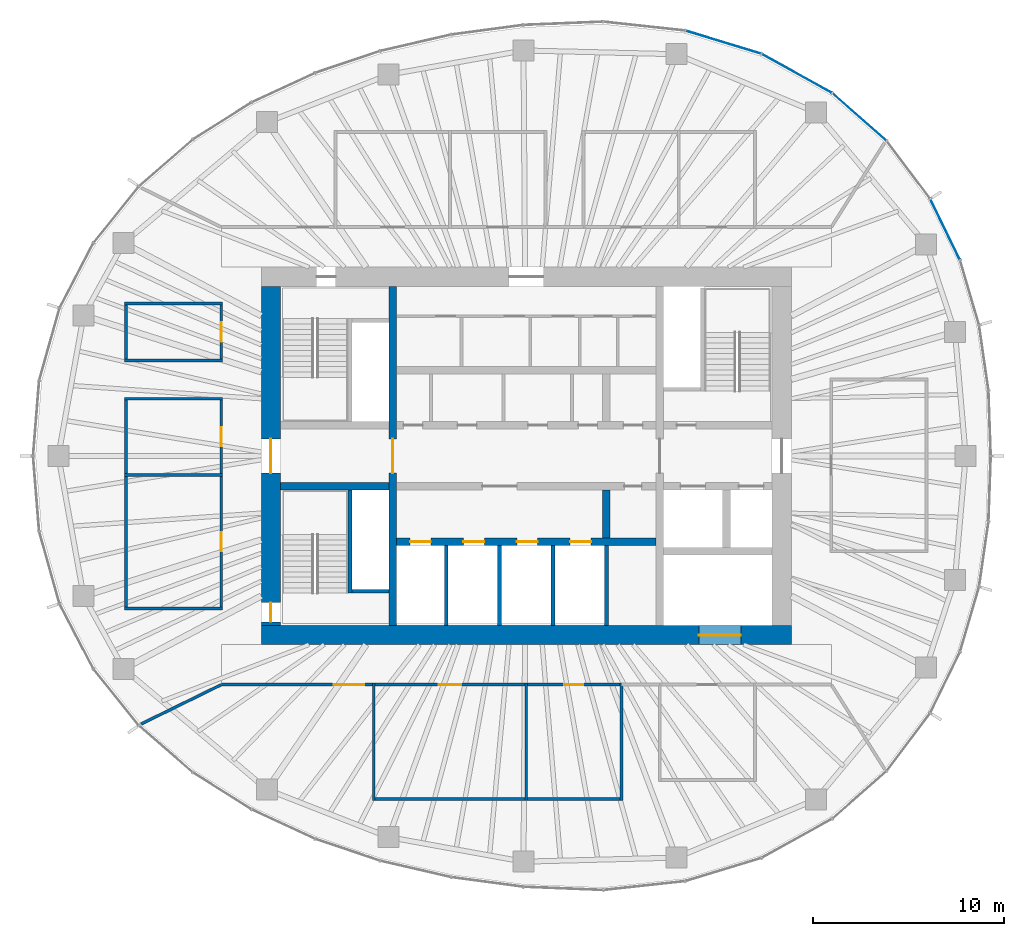
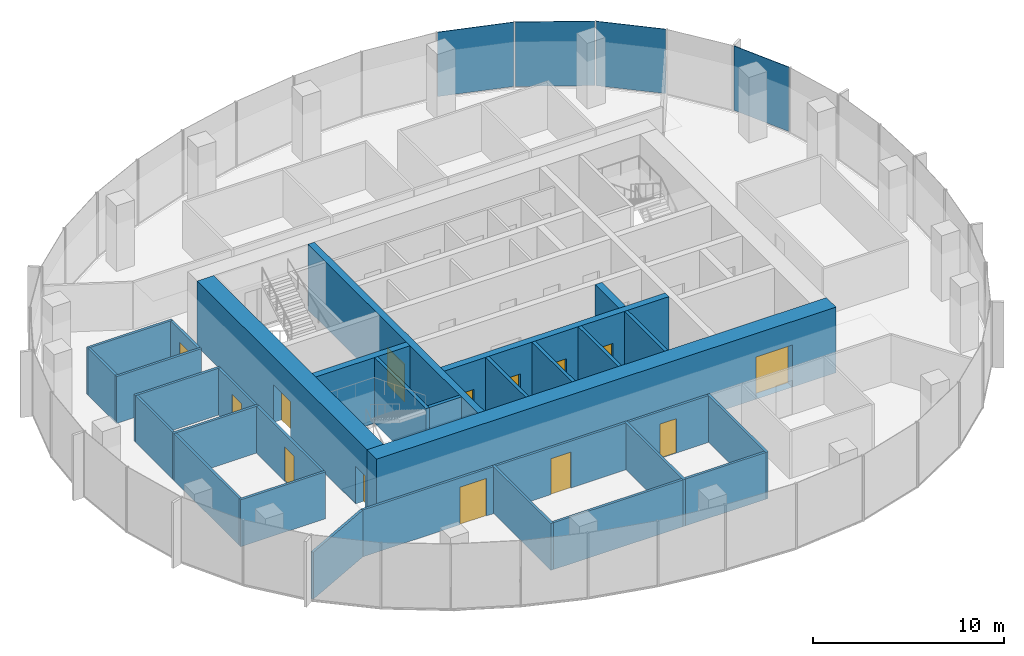
# One storey, part 8 of 11: 32 walls, 14 doors, 4 plates, 14 openings, 3 elements without a shape of their own.
"""IFC4 building model written with IfcOpenShell, lengths in metres."""

from ifc_helpers import new_model, si_unit, direction, frame, frame_2d, origin, origin_2d, place, context, subcontext, project, spatial, rectangle, extrude, material, layer, layer_set, type_object, element, fill, aggregate, save


model = new_model("IFC4")

# Units and contexts
model_context = context("Model", 3, precision=1e-05, world=origin(), true_north=direction((0.0, 1.0)))
body_context = subcontext(model_context, "Body", "Model", "MODEL_VIEW")
ifc_project = project(units=[si_unit("LENGTHUNIT", "METRE"), si_unit("AREAUNIT", "SQUARE_METRE"), si_unit("VOLUMEUNIT", "CUBIC_METRE"), si_unit("PLANEANGLEUNIT", "RADIAN"), si_unit("MASSUNIT", "GRAM", prefix="KILO")], contexts=[model_context])

# Site, building, storey
site_placement = place(None, origin())
site = spatial("IfcSite", under=ifc_project, at=site_placement, CompositionType="ELEMENT")
building_placement = place(site_placement, origin())
building = spatial("IfcBuilding", under=site, at=building_placement, Name="Ghaith Harvest Tower", CompositionType="ELEMENT")
storey_placement = place(building_placement, frame((0.0, 0.0, 279.60009765625)))
storey = spatial("IfcBuildingStorey", under=building, at=storey_placement, Name="L62", CompositionType="ELEMENT", Elevation=279.60009765625)

# Curtain wall, plate
ifc_material_1 = material(Name="Black anodised aluminium and fritted glass", Category="aluminium")
curtain_wall_type = type_object("IfcCurtainWallType", Name="CW-T CURTAIN WALL", PredefinedType="NOTDEFINED", material=ifc_material_1)
curtain_wall_1_placement = place(storey_placement, origin())
curtain_wall_1 = element("IfcCurtainWall", 1, at=curtain_wall_1_placement, inside=storey, type_object=curtain_wall_type, Name="Curtain wall CW-T bay 02 L62", PredefinedType="NOTDEFINED")
ifc_material_2 = material(Name="Glass, dark solar-control fritted double glazed unit", Category="glass")
ifc_layer_1 = layer(ifc_material_2, 0.033935546875)
ifc_layer_set_1 = layer_set([ifc_layer_1], Name="CW-T VISION PANEL")
plate_type = type_object("IfcPlateType", Name="CW-T VISION PANEL", PredefinedType="CURTAIN_PANEL", material=ifc_layer_set_1)
plate_1_placement = place(storey_placement, frame((21.9716796875, 11.878662109375, 0.079833984375), z_axis=(0.0, 0.0, 1.0), x_axis=(-0.437968365148, 0.898990384337, 0.0)))
plate_1 = element("IfcPlate", 2, at=plate_1_placement, type_object=plate_type, Name="CW-T glass unit 2 bay 02 L62", PredefinedType="CURTAIN_PANEL", context=body_context, shape_type="SweptSolid", body=[
    extrude(rectangle(XDim=3.49365234375, YDim=0.033935546875, at=origin_2d()), origin(), (0.0, 0.0, 1.0), 4.1201171875),
])
aggregate(curtain_wall_1, [plate_1])

curtain_wall_2_placement = place(storey_placement, origin())
curtain_wall_2 = element("IfcCurtainWall", 3, at=curtain_wall_2_placement, inside=storey, type_object=curtain_wall_type, Name="Curtain wall CW-T bay 03 L62", PredefinedType="NOTDEFINED")
plate_2_placement = place(storey_placement, frame((17.47509765625, 17.779541015625, 0.079833984375), z_axis=(0.0, 0.0, 1.0), x_axis=(-0.751334532416, 0.659921525941, 0.0)))
plate_2 = element("IfcPlate", 4, at=plate_2_placement, type_object=plate_type, Name="CW-T glass unit 2 bay 03 L62", PredefinedType="CURTAIN_PANEL", context=body_context, shape_type="SweptSolid", body=[
    extrude(rectangle(XDim=3.7158203125, YDim=0.033935546875, at=origin_2d()), origin(), (0.0, 0.0, 1.0), 4.1201171875),
])
aggregate(curtain_wall_2, [plate_2])

# Curtain wall, plates
curtain_wall_3_placement = place(storey_placement, origin())
curtain_wall_3 = element("IfcCurtainWall", 5, at=curtain_wall_3_placement, inside=storey, type_object=curtain_wall_type, Name="Curtain wall CW-T bay 04 L62", PredefinedType="NOTDEFINED")
plate_3_placement = place(storey_placement, frame((14.19189453125, 20.06201171875, 0.079833984375), z_axis=(0.0, 0.0, 1.0), x_axis=(-0.87456402291, 0.484910063653, 0.0)))
plate_3 = element("IfcPlate", 6, at=plate_3_placement, type_object=plate_type, Name="CW-T glass unit 1 bay 04 L62", PredefinedType="CURTAIN_PANEL", context=body_context, shape_type="SweptSolid", body=[
    extrude(rectangle(XDim=4.167724609375, YDim=0.033935546875, at=origin_2d()), origin(), (0.0, 0.0, 1.0), 4.1201171875),
])
plate_4_placement = place(storey_placement, frame((10.337158203125, 21.700439453125, 0.079833984375), z_axis=(0.0, 0.0, 1.0), x_axis=(-0.956587736124, 0.291444511181, 0.0)))
plate_4 = element("IfcPlate", 7, at=plate_4_placement, type_object=plate_type, Name="CW-T glass unit 2 bay 04 L62", PredefinedType="CURTAIN_PANEL", context=body_context, shape_type="SweptSolid", body=[
    extrude(rectangle(XDim=4.095703125, YDim=0.033935546875, at=origin_2d()), origin(), (0.0, 0.0, 1.0), 4.1201171875),
])
aggregate(curtain_wall_3, [plate_3, plate_4])

# Wall, opening, door
ifc_material_3 = material(Name="Concrete C50/60", Category="concrete")
ifc_layer_2 = layer(ifc_material_3, 1.0)
ifc_layer_set_2 = layer_set([ifc_layer_2], Name="CORE WALL CW1000")
wall_type_1 = type_object("IfcWallType", Name="CORE WALL CW1000", PredefinedType="SHEAR", material=ifc_layer_set_2)
wall_1_placement = place(storey_placement, frame((-13.89990234375, -9.39990234375, 0.0), z_axis=(0.0, 0.0, 1.0), x_axis=(1.0, 0.0, 0.0)))
wall_1 = element("IfcWall", 8, at=wall_1_placement, inside=storey, type_object=wall_type_1, Name="Core wall S L62", PredefinedType="SHEAR", context=body_context, shape_type="SweptSolid", body=[
    extrude(rectangle(XDim=27.7998046875, YDim=1.0, at=frame_2d((13.89990234375, 0.0))), origin(), (0.0, 0.0, 1.0), 4.199951171875),
])
opening_1_placement = place(wall_1_placement, frame((22.949951171875, 0.0, 0.0)))
opening_1 = element("IfcOpeningElement", 9, at=opening_1_placement, cuts=wall_1, Name="Opening 62-027", PredefinedType="OPENING", context=body_context, shape_type="SweptSolid", body=[
    extrude(rectangle(XDim=2.199951171875, YDim=2.699951171875, at=frame_2d((1.10009765625, 1.35009765625))), frame((0.0, 0.510009765625, 0.0), z_axis=(0.0, -1.0, 0.0), x_axis=(1.0, 0.0, 0.0)), (0.0, 0.0, 1.0), 1.02001953125),
])
ifc_material_4 = material(Name="Steel fire door", Category="steel")
door_type_1 = type_object("IfcDoorType", Name="LD3 LANDING 2200x2700", OperationType="DOUBLE_DOOR_SLIDING", PredefinedType="DOOR", material=ifc_material_4)
door_1_placement = place(opening_1_placement, origin())
door_1 = element("IfcDoor", 10, at=door_1_placement, inside=storey, type_object=door_type_1, Name="Landing door, goods lift GL1", OperationType="DOUBLE_DOOR_SLIDING", OverallHeight=2.699951171875, OverallWidth=2.199951171875, PredefinedType="DOOR", context=body_context, shape_type="SweptSolid", body=[
    extrude(rectangle(XDim=2.199951171875, YDim=2.699951171875, at=frame_2d((1.10009765625, 1.35009765625))), frame((0.0, 0.02490234375, 0.0), z_axis=(0.0, -1.0, 0.0), x_axis=(1.0, 0.0, 0.0)), (0.0, 0.0, 1.0), 0.050048828125),
])
fill(opening_1, door_1)

# Wall, openings, doors
wall_2_placement = place(storey_placement, frame((-13.39990234375, 8.89990234375, 0.0), z_axis=(0.0, 0.0, 1.0), x_axis=(0.0, -1.0, 0.0)))
wall_2 = element("IfcWall", 11, at=wall_2_placement, inside=storey, type_object=wall_type_1, Name="Core wall W L62", PredefinedType="SHEAR", context=body_context, shape_type="SweptSolid", body=[
    extrude(rectangle(XDim=17.7998046875, YDim=1.0, at=frame_2d((8.89990234375, 0.0))), origin(), (0.0, 0.0, 1.0), 4.199951171875),
])
opening_2_placement = place(wall_2_placement, frame((8.0, 0.0, 0.0)))
opening_2 = element("IfcOpeningElement", 12, at=opening_2_placement, cuts=wall_2, Name="Opening 62-001", PredefinedType="OPENING", context=body_context, shape_type="SweptSolid", body=[
    extrude(rectangle(XDim=1.800048828125, YDim=2.39990234375, at=frame_2d((0.89990234375, 1.199951171875))), frame((0.0, 0.510009765625, 0.0), z_axis=(0.0, -1.0, 0.0), x_axis=(1.0, 0.0, 0.0)), (0.0, 0.0, 1.0), 1.02001953125),
])
opening_3_placement = place(wall_2_placement, frame((16.60009765625, 0.0, 0.0)))
opening_3 = element("IfcOpeningElement", 13, at=opening_3_placement, cuts=wall_2, Name="Opening 62-006", PredefinedType="OPENING", context=body_context, shape_type="SweptSolid", body=[
    extrude(rectangle(XDim=1.0, YDim=2.39990234375, at=frame_2d((0.5, 1.199951171875))), frame((0.0, 0.510009765625, 0.0), z_axis=(0.0, -1.0, 0.0), x_axis=(1.0, 0.0, 0.0)), (0.0, 0.0, 1.0), 1.02001953125),
])
ifc_material_5 = material(Name="Steel fire door", Category="steel")
door_type_2 = type_object("IfcDoorType", Name="D3 FD90 1000x2400", OperationType="SINGLE_SWING_LEFT", PredefinedType="DOOR", material=ifc_material_5)
door_2_placement = place(opening_3_placement, origin())
door_2 = element("IfcDoor", 14, at=door_2_placement, inside=storey, type_object=door_type_2, Name="Stair ST3 door", OperationType="SINGLE_SWING_RIGHT", OverallHeight=2.39990234375, OverallWidth=1.0, PredefinedType="DOOR", context=body_context, shape_type="SweptSolid", body=[
    extrude(rectangle(XDim=1.0, YDim=2.39990234375, at=frame_2d((0.5, 1.199951171875))), frame((0.0, 0.02490234375, 0.0), z_axis=(0.0, -1.0, 0.0), x_axis=(1.0, 0.0, 0.0)), (0.0, 0.0, 1.0), 0.050048828125),
])
fill(opening_3, door_2)
ifc_material_6 = material(Name="Steel fire door", Category="steel")
door_type_3 = type_object("IfcDoorType", Name="D4 FD90 PAIR 1800x2400", OperationType="DOUBLE_DOOR_SINGLE_SWING", PredefinedType="DOOR", material=ifc_material_6)
door_3_placement = place(opening_2_placement, origin())
door_3 = element("IfcDoor", 15, at=door_3_placement, inside=storey, type_object=door_type_3, Name="West lobby doors", OperationType="DOUBLE_DOOR_SINGLE_SWING", OverallHeight=2.39990234375, OverallWidth=1.800048828125, PredefinedType="DOOR", context=body_context, shape_type="SweptSolid", body=[
    extrude(rectangle(XDim=1.800048828125, YDim=2.39990234375, at=frame_2d((0.89990234375, 1.199951171875))), frame((0.0, 0.02490234375, 0.0), z_axis=(0.0, -1.0, 0.0), x_axis=(1.0, 0.0, 0.0)), (0.0, 0.0, 1.0), 0.050048828125),
])
fill(opening_2, door_3)

# Walls
ifc_material_7 = material(Name="Concrete blockwork, 2-hour", Category="masonry")
ifc_layer_3 = layer(ifc_material_7, 0.199951171875)
ifc_layer_set_3 = layer_set([ifc_layer_3], Name="LIFT SHAFT WALL 200")
wall_type_2 = type_object("IfcWallType", Name="LIFT SHAFT WALL 200", PredefinedType="PARTITIONING", material=ifc_layer_set_3)
for number, where, z_axis, x_axis, name in (
    (16, (-4.199951171875, -4.699951171875, 0.0), (0.0, 0.0, 1.0), (0.0, -1.0, 0.0), "Lift shaft wall L62"),
    (17, (-1.39990234375, -4.699951171875, 0.0), (0.0, 0.0, 1.0), (0.0, -1.0, 0.0), "Lift shaft wall L62"),
    (18, (1.39990234375, -4.699951171875, 0.0), (0.0, 0.0, 1.0), (0.0, -1.0, 0.0), "Lift shaft wall L62"),
    (19, (4.199951171875, -4.699951171875, 0.0), (0.0, 0.0, 1.0), (0.0, -1.0, 0.0), "Lift shaft wall L62"),
):
    element("IfcWall", number, at=place(storey_placement, frame(where, z_axis=z_axis, x_axis=x_axis)), inside=storey, type_object=wall_type_2, Name=name, PredefinedType="PARTITIONING", context=body_context, shape_type="SweptSolid", body=[
        extrude(rectangle(XDim=4.199951171875, YDim=0.199951171875, at=frame_2d((2.10009765625, 0.0))), origin(), (0.0, 0.0, 1.0), 4.199951171875),
    ])
ifc_material_8 = material(Name="Gypsum board on steel studs", Category="steel")
ifc_layer_4 = layer(ifc_material_8, 0.14990234375)
ifc_layer_set_4 = layer_set([ifc_layer_4], Name="PARTITION 150")
wall_type_3 = type_object("IfcWallType", Name="PARTITION 150", PredefinedType="PARTITIONING", material=ifc_layer_set_4)
for number, where, z_axis, x_axis, name in (
    (20, (-8.0, -11.925048828125, 0.0), (0.0, 0.0, 1.0), (0.0, -1.0, 0.0), "Partition L62 row S1 cross wall 1"),
    (21, (0.0, -11.925048828125, 0.0), (0.0, 0.0, 1.0), (0.0, -1.0, 0.0), "Partition L62 row S1 cross wall 2"),
    (22, (5.0, -11.925048828125, 0.0), (0.0, 0.0, 1.0), (0.0, -1.0, 0.0), "Partition L62 row S1 cross wall 3"),
):
    element("IfcWall", number, at=place(storey_placement, frame(where, z_axis=z_axis, x_axis=x_axis)), inside=storey, type_object=wall_type_3, Name=name, PredefinedType="PARTITIONING", context=body_context, shape_type="SweptSolid", body=[
        extrude(rectangle(XDim=6.14990234375, YDim=0.14990234375, at=frame_2d((3.074951171875, 0.0))), origin(), (0.0, 0.0, 1.0), 3.0),
    ])

# Wall, opening, door
wall_3_placement = place(storey_placement, frame((-7.925048828125, -12.0, 0.0), z_axis=(0.0, 0.0, 1.0), x_axis=(1.0, 0.0, 0.0)))
wall_3 = element("IfcWall", 23, at=wall_3_placement, inside=storey, type_object=wall_type_3, Name="Partition L62-01", PredefinedType="PARTITIONING", context=body_context, shape_type="SweptSolid", body=[
    extrude(rectangle(XDim=7.85009765625, YDim=0.14990234375, at=frame_2d((3.925048828125, 0.0))), origin(), (0.0, 0.0, 1.0), 3.0),
])
opening_4_placement = place(wall_3_placement, frame((3.324951171875, 0.0, 0.0)))
opening_4 = element("IfcOpeningElement", 24, at=opening_4_placement, cuts=wall_3, Name="Opening 62-028", PredefinedType="OPENING", context=body_context, shape_type="SweptSolid", body=[
    extrude(rectangle(XDim=1.199951171875, YDim=2.300048828125, at=frame_2d((0.60009765625, 1.14990234375))), frame((0.0, 0.0849609375, 0.0), z_axis=(0.0, -1.0, 0.0), x_axis=(1.0, 0.0, 0.0)), (0.0, 0.0, 1.0), 0.169921875),
])
ifc_material_9 = material(Name="Timber door with vision panel", Category="wood")
door_type_4 = type_object("IfcDoorType", Name="D15 LABORATORY 1200x2300", OperationType="SINGLE_SWING_LEFT", PredefinedType="DOOR", material=ifc_material_9)
door_4_placement = place(opening_4_placement, origin())
door_4 = element("IfcDoor", 25, at=door_4_placement, inside=storey, type_object=door_type_4, Name="Breeding laboratory door", OperationType="SINGLE_SWING_LEFT", OverallHeight=2.300048828125, OverallWidth=1.199951171875, PredefinedType="DOOR", context=body_context, shape_type="SweptSolid", body=[
    extrude(rectangle(XDim=1.199951171875, YDim=2.300048828125, at=frame_2d((0.60009765625, 1.14990234375))), frame((0.0, 0.02490234375, 0.0), z_axis=(0.0, -1.0, 0.0), x_axis=(1.0, 0.0, 0.0)), (0.0, 0.0, 1.0), 0.050048828125),
])
fill(opening_4, door_4)

# Wall
wall_4_placement = place(storey_placement, frame((-7.925048828125, -18.0, 0.0), z_axis=(0.0, 0.0, 1.0), x_axis=(1.0, 0.0, 0.0)))
element("IfcWall", 26, at=wall_4_placement, inside=storey, type_object=wall_type_3, Name="Partition L62-01", PredefinedType="PARTITIONING", context=body_context, shape_type="SweptSolid", body=[
    extrude(rectangle(XDim=7.85009765625, YDim=0.14990234375, at=frame_2d((3.925048828125, 0.0))), origin(), (0.0, 0.0, 1.0), 3.0),
])

# Wall, opening, door
wall_5_placement = place(storey_placement, frame((0.074951171875, -12.0, 0.0), z_axis=(0.0, 0.0, 1.0), x_axis=(1.0, 0.0, 0.0)))
wall_5 = element("IfcWall", 27, at=wall_5_placement, inside=storey, type_object=wall_type_3, Name="Partition L62-02", PredefinedType="PARTITIONING", context=body_context, shape_type="SweptSolid", body=[
    extrude(rectangle(XDim=4.85009765625, YDim=0.14990234375, at=frame_2d((2.425048828125, 0.0))), origin(), (0.0, 0.0, 1.0), 3.0),
])
opening_5_placement = place(wall_5_placement, frame((1.925048828125, 0.0, 0.0)))
opening_5 = element("IfcOpeningElement", 28, at=opening_5_placement, cuts=wall_5, Name="Opening 62-029", PredefinedType="OPENING", context=body_context, shape_type="SweptSolid", body=[
    extrude(rectangle(XDim=1.0, YDim=2.199951171875, at=frame_2d((0.5, 1.10009765625))), frame((0.0, 0.0849609375, 0.0), z_axis=(0.0, -1.0, 0.0), x_axis=(1.0, 0.0, 0.0)), (0.0, 0.0, 1.0), 0.169921875),
])
ifc_material_10 = material(Name="Timber door", Category="wood")
door_type_5 = type_object("IfcDoorType", Name="D1 SINGLE 1000x2200", OperationType="SINGLE_SWING_LEFT", PredefinedType="DOOR", material=ifc_material_10)
door_5_placement = place(opening_5_placement, origin())
door_5 = element("IfcDoor", 29, at=door_5_placement, inside=storey, type_object=door_type_5, Name="Crossing room door", OperationType="SINGLE_SWING_LEFT", OverallHeight=2.199951171875, OverallWidth=1.0, PredefinedType="DOOR", context=body_context, shape_type="SweptSolid", body=[
    extrude(rectangle(XDim=1.0, YDim=2.199951171875, at=frame_2d((0.5, 1.10009765625))), frame((0.0, 0.02490234375, 0.0), z_axis=(0.0, -1.0, 0.0), x_axis=(1.0, 0.0, 0.0)), (0.0, 0.0, 1.0), 0.050048828125),
])
fill(opening_5, door_5)

# Walls
wall_6_placement = place(storey_placement, frame((0.074951171875, -18.0, 0.0), z_axis=(0.0, 0.0, 1.0), x_axis=(1.0, 0.0, 0.0)))
element("IfcWall", 30, at=wall_6_placement, inside=storey, type_object=wall_type_3, Name="Partition L62-02", PredefinedType="PARTITIONING", context=body_context, shape_type="SweptSolid", body=[
    extrude(rectangle(XDim=4.85009765625, YDim=0.14990234375, at=frame_2d((2.425048828125, 0.0))), origin(), (0.0, 0.0, 1.0), 3.0),
])
for number, where, z_axis, x_axis, name in (
    (31, (-15.925048828125, -8.0, 0.0), (0.0, 0.0, 1.0), (-1.0, 0.0, 0.0), "Partition L62 row W3 cross wall 1"),
    (32, (-15.925048828125, -1.0, 0.0), (0.0, 0.0, 1.0), (-1.0, 0.0, 0.0), "Partition L62 row W3 cross wall 2"),
    (33, (-15.925048828125, 3.0, 0.0), (0.0, 0.0, 1.0), (-1.0, 0.0, 0.0), "Partition L62 row W3 cross wall 3"),
):
    element("IfcWall", number, at=place(storey_placement, frame(where, z_axis=z_axis, x_axis=x_axis)), inside=storey, type_object=wall_type_3, Name=name, PredefinedType="PARTITIONING", context=body_context, shape_type="SweptSolid", body=[
        extrude(rectangle(XDim=5.14990234375, YDim=0.14990234375, at=frame_2d((2.574951171875, 0.0))), origin(), (0.0, 0.0, 1.0), 3.0),
    ])

# Wall, opening, door
wall_7_placement = place(storey_placement, frame((-16.0, -7.925048828125, 0.0), z_axis=(0.0, 0.0, 1.0), x_axis=(0.0, 1.0, 0.0)))
wall_7 = element("IfcWall", 34, at=wall_7_placement, inside=storey, type_object=wall_type_3, Name="Partition L62-04", PredefinedType="PARTITIONING", context=body_context, shape_type="SweptSolid", body=[
    extrude(rectangle(XDim=6.85009765625, YDim=0.14990234375, at=frame_2d((3.425048828125, 0.0))), origin(), (0.0, 0.0, 1.0), 3.0),
])
opening_6_placement = place(wall_7_placement, frame((2.925048828125, 0.0, 0.0)))
opening_6 = element("IfcOpeningElement", 35, at=opening_6_placement, cuts=wall_7, Name="Opening 62-031", PredefinedType="OPENING", context=body_context, shape_type="SweptSolid", body=[
    extrude(rectangle(XDim=1.0, YDim=2.199951171875, at=frame_2d((0.5, 1.10009765625))), frame((0.0, 0.0849609375, 0.0), z_axis=(0.0, -1.0, 0.0), x_axis=(1.0, 0.0, 0.0)), (0.0, 0.0, 1.0), 0.169921875),
])
door_6_placement = place(opening_6_placement, origin())
door_6 = element("IfcDoor", 36, at=door_6_placement, inside=storey, type_object=door_type_5, Name="Phenotyping room door", OperationType="SINGLE_SWING_LEFT", OverallHeight=2.199951171875, OverallWidth=1.0, PredefinedType="DOOR", context=body_context, shape_type="SweptSolid", body=[
    extrude(rectangle(XDim=1.0, YDim=2.199951171875, at=frame_2d((0.5, 1.10009765625))), frame((0.0, 0.02490234375, 0.0), z_axis=(0.0, -1.0, 0.0), x_axis=(1.0, 0.0, 0.0)), (0.0, 0.0, 1.0), 0.050048828125),
])
fill(opening_6, door_6)

# Wall
wall_8_placement = place(storey_placement, frame((-21.0, -7.925048828125, 0.0), z_axis=(0.0, 0.0, 1.0), x_axis=(0.0, 1.0, 0.0)))
element("IfcWall", 37, at=wall_8_placement, inside=storey, type_object=wall_type_3, Name="Partition L62-04", PredefinedType="PARTITIONING", context=body_context, shape_type="SweptSolid", body=[
    extrude(rectangle(XDim=6.85009765625, YDim=0.14990234375, at=frame_2d((3.425048828125, 0.0))), origin(), (0.0, 0.0, 1.0), 3.0),
])

# Wall, opening, door
wall_9_placement = place(storey_placement, frame((-16.0, -0.925048828125, 0.0), z_axis=(0.0, 0.0, 1.0), x_axis=(0.0, 1.0, 0.0)))
wall_9 = element("IfcWall", 38, at=wall_9_placement, inside=storey, type_object=wall_type_3, Name="Partition L62-05", PredefinedType="PARTITIONING", context=body_context, shape_type="SweptSolid", body=[
    extrude(rectangle(XDim=3.85009765625, YDim=0.14990234375, at=frame_2d((1.925048828125, 0.0))), origin(), (0.0, 0.0, 1.0), 3.0),
])
opening_7_placement = place(wall_9_placement, frame((1.425048828125, 0.0, 0.0)))
opening_7 = element("IfcOpeningElement", 39, at=opening_7_placement, cuts=wall_9, Name="Opening 62-032", PredefinedType="OPENING", context=body_context, shape_type="SweptSolid", body=[
    extrude(rectangle(XDim=1.0, YDim=2.199951171875, at=frame_2d((0.5, 1.10009765625))), frame((0.0, 0.0849609375, 0.0), z_axis=(0.0, -1.0, 0.0), x_axis=(1.0, 0.0, 0.0)), (0.0, 0.0, 1.0), 0.169921875),
])
door_7_placement = place(opening_7_placement, origin())
door_7 = element("IfcDoor", 40, at=door_7_placement, inside=storey, type_object=door_type_5, Name="Imaging room door", OperationType="SINGLE_SWING_LEFT", OverallHeight=2.199951171875, OverallWidth=1.0, PredefinedType="DOOR", context=body_context, shape_type="SweptSolid", body=[
    extrude(rectangle(XDim=1.0, YDim=2.199951171875, at=frame_2d((0.5, 1.10009765625))), frame((0.0, 0.02490234375, 0.0), z_axis=(0.0, -1.0, 0.0), x_axis=(1.0, 0.0, 0.0)), (0.0, 0.0, 1.0), 0.050048828125),
])
fill(opening_7, door_7)

# Walls
wall_10_placement = place(storey_placement, frame((-21.0, -0.925048828125, 0.0), z_axis=(0.0, 0.0, 1.0), x_axis=(0.0, 1.0, 0.0)))
element("IfcWall", 41, at=wall_10_placement, inside=storey, type_object=wall_type_3, Name="Partition L62-05", PredefinedType="PARTITIONING", context=body_context, shape_type="SweptSolid", body=[
    extrude(rectangle(XDim=3.85009765625, YDim=0.14990234375, at=frame_2d((1.925048828125, 0.0))), origin(), (0.0, 0.0, 1.0), 3.0),
])
for number, where, z_axis, x_axis, name in (
    (42, (-15.925048828125, 5.0, 0.0), (0.0, 0.0, 1.0), (-1.0, 0.0, 0.0), "Partition L62 row W7 cross wall 1"),
    (43, (-15.925048828125, 8.0, 0.0), (0.0, 0.0, 1.0), (-1.0, 0.0, 0.0), "Partition L62 row W7 cross wall 2"),
):
    element("IfcWall", number, at=place(storey_placement, frame(where, z_axis=z_axis, x_axis=x_axis)), inside=storey, type_object=wall_type_3, Name=name, PredefinedType="PARTITIONING", context=body_context, shape_type="SweptSolid", body=[
        extrude(rectangle(XDim=5.14990234375, YDim=0.14990234375, at=frame_2d((2.574951171875, 0.0))), origin(), (0.0, 0.0, 1.0), 3.0),
    ])

# Wall, opening, door
wall_11_placement = place(storey_placement, frame((-16.0, 5.074951171875, 0.0), z_axis=(0.0, 0.0, 1.0), x_axis=(0.0, 1.0, 0.0)))
wall_11 = element("IfcWall", 44, at=wall_11_placement, inside=storey, type_object=wall_type_3, Name="Partition L62-11", PredefinedType="PARTITIONING", context=body_context, shape_type="SweptSolid", body=[
    extrude(rectangle(XDim=2.85009765625, YDim=0.14990234375, at=frame_2d((1.425048828125, 0.0))), origin(), (0.0, 0.0, 1.0), 3.0),
])
opening_8_placement = place(wall_11_placement, frame((0.925048828125, 0.0, 0.0)))
opening_8 = element("IfcOpeningElement", 45, at=opening_8_placement, cuts=wall_11, Name="Opening 62-038", PredefinedType="OPENING", context=body_context, shape_type="SweptSolid", body=[
    extrude(rectangle(XDim=1.0, YDim=2.199951171875, at=frame_2d((0.5, 1.10009765625))), frame((0.0, 0.0849609375, 0.0), z_axis=(0.0, -1.0, 0.0), x_axis=(1.0, 0.0, 0.0)), (0.0, 0.0, 1.0), 0.169921875),
])
door_8_placement = place(opening_8_placement, origin())
door_8 = element("IfcDoor", 46, at=door_8_placement, inside=storey, type_object=door_type_5, Name="Seed counting room door", OperationType="SINGLE_SWING_LEFT", OverallHeight=2.199951171875, OverallWidth=1.0, PredefinedType="DOOR", context=body_context, shape_type="SweptSolid", body=[
    extrude(rectangle(XDim=1.0, YDim=2.199951171875, at=frame_2d((0.5, 1.10009765625))), frame((0.0, 0.02490234375, 0.0), z_axis=(0.0, -1.0, 0.0), x_axis=(1.0, 0.0, 0.0)), (0.0, 0.0, 1.0), 0.050048828125),
])
fill(opening_8, door_8)

# Walls
wall_12_placement = place(storey_placement, frame((-21.0, 5.074951171875, 0.0), z_axis=(0.0, 0.0, 1.0), x_axis=(0.0, 1.0, 0.0)))
element("IfcWall", 47, at=wall_12_placement, inside=storey, type_object=wall_type_3, Name="Partition L62-11", PredefinedType="PARTITIONING", context=body_context, shape_type="SweptSolid", body=[
    extrude(rectangle(XDim=2.85009765625, YDim=0.14990234375, at=frame_2d((1.425048828125, 0.0))), origin(), (0.0, 0.0, 1.0), 3.0),
])
wall_13_placement = place(storey_placement, frame((-16.017822265625, -12.0087890625, 0.0), z_axis=(0.0, 0.0, 1.0), x_axis=(-0.897771840996, -0.440460805879, 0.0)))
element("IfcWall", 48, at=wall_13_placement, inside=storey, type_object=wall_type_3, Name="Partition L62 zone division", PredefinedType="PARTITIONING", context=body_context, shape_type="SweptSolid", body=[
    extrude(rectangle(XDim=4.66552734375, YDim=0.14990234375, at=frame_2d((2.332763671875, 0.0))), origin(), (0.0, 0.0, 1.0), 3.0),
])

# Wall, opening, door
wall_14_placement = place(storey_placement, frame((-16.0, -12.0, 0.0), z_axis=(0.0, 0.0, 1.0), x_axis=(1.0, 0.0, 0.0)))
wall_14 = element("IfcWall", 49, at=wall_14_placement, inside=storey, type_object=wall_type_3, Name="Partition L62 zone enclosure", PredefinedType="PARTITIONING", context=body_context, shape_type="SweptSolid", body=[
    extrude(rectangle(XDim=8.0, YDim=0.14990234375, at=frame_2d((4.0, 0.0))), origin(), (0.0, 0.0, 1.0), 3.0),
])
opening_9_placement = place(wall_14_placement, frame((5.89990234375, 0.0, 0.0)))
opening_9 = element("IfcOpeningElement", 50, at=opening_9_placement, cuts=wall_14, Name="Opening 62-040", PredefinedType="OPENING", context=body_context, shape_type="SweptSolid", body=[
    extrude(rectangle(XDim=1.60009765625, YDim=2.39990234375, at=frame_2d((0.800048828125, 1.199951171875))), frame((0.0, 0.0849609375, 0.0), z_axis=(0.0, -1.0, 0.0), x_axis=(1.0, 0.0, 0.0)), (0.0, 0.0, 1.0), 0.169921875),
])
ifc_material_11 = material(Name="Timber door", Category="wood")
door_type_6 = type_object("IfcDoorType", Name="D2 PAIR 1600x2400", OperationType="DOUBLE_DOOR_SINGLE_SWING", PredefinedType="DOOR", material=ifc_material_11)
door_9_placement = place(opening_9_placement, origin())
door_9 = element("IfcDoor", 51, at=door_9_placement, inside=storey, type_object=door_type_6, Name="Breeding growing area south door", OperationType="DOUBLE_DOOR_SINGLE_SWING", OverallHeight=2.39990234375, OverallWidth=1.60009765625, PredefinedType="DOOR", context=body_context, shape_type="SweptSolid", body=[
    extrude(rectangle(XDim=1.60009765625, YDim=2.39990234375, at=frame_2d((0.800048828125, 1.199951171875))), frame((0.0, 0.02490234375, 0.0), z_axis=(0.0, -1.0, 0.0), x_axis=(1.0, 0.0, 0.0)), (0.0, 0.0, 1.0), 0.050048828125),
])
fill(opening_9, door_9)

ifc_material_12 = material(Name="Concrete C70/85", Category="concrete")
ifc_layer_5 = layer(ifc_material_12, 0.39990234375)
ifc_layer_set_5 = layer_set([ifc_layer_5], Name="SHAFT WALL 400")
wall_type_4 = type_object("IfcWallType", Name="SHAFT WALL 400", PredefinedType="SHEAR", material=ifc_layer_set_5)
wall_15_placement = place(storey_placement, frame((-7.0, -8.89990234375, 0.0), z_axis=(0.0, 0.0, 1.0), x_axis=(0.0, 1.0, 0.0)))
wall_15 = element("IfcWall", 52, at=wall_15_placement, inside=storey, type_object=wall_type_4, Name="Shaft wall W7W L62", PredefinedType="SHEAR", context=body_context, shape_type="SweptSolid", body=[
    extrude(rectangle(XDim=17.7998046875, YDim=0.39990234375, at=frame_2d((8.89990234375, 0.0))), origin(), (0.0, 0.0, 1.0), 4.199951171875),
])
opening_10_placement = place(wall_15_placement, frame((8.0, 0.0, 0.0)))
opening_10 = element("IfcOpeningElement", 53, at=opening_10_placement, cuts=wall_15, Name="Opening 62-003", PredefinedType="OPENING", context=body_context, shape_type="SweptSolid", body=[
    extrude(rectangle(XDim=1.800048828125, YDim=2.39990234375, at=frame_2d((0.89990234375, 1.199951171875))), frame((0.0, 0.2099609375, 0.0), z_axis=(0.0, -1.0, 0.0), x_axis=(1.0, 0.0, 0.0)), (0.0, 0.0, 1.0), 0.419921875),
])
door_10_placement = place(opening_10_placement, origin())
door_10 = element("IfcDoor", 54, at=door_10_placement, inside=storey, type_object=door_type_3, Name="Lift lobby doors, west", OperationType="DOUBLE_DOOR_SINGLE_SWING", OverallHeight=2.39990234375, OverallWidth=1.800048828125, PredefinedType="DOOR", context=body_context, shape_type="SweptSolid", body=[
    extrude(rectangle(XDim=1.800048828125, YDim=2.39990234375, at=frame_2d((0.89990234375, 1.199951171875))), frame((0.0, 0.02490234375, 0.0), z_axis=(0.0, -1.0, 0.0), x_axis=(1.0, 0.0, 0.0)), (0.0, 0.0, 1.0), 0.050048828125),
])
fill(opening_10, door_10)

# Wall, openings, doors
wall_16_placement = place(storey_placement, frame((-6.800048828125, -4.5, 0.0), z_axis=(0.0, 0.0, 1.0), x_axis=(1.0, 0.0, 0.0)))
wall_16 = element("IfcWall", 55, at=wall_16_placement, inside=storey, type_object=wall_type_4, Name="Shaft wall BS L62", PredefinedType="SHEAR", context=body_context, shape_type="SweptSolid", body=[
    extrude(rectangle(XDim=13.60009765625, YDim=0.39990234375, at=frame_2d((6.800048828125, 0.0))), origin(), (0.0, 0.0, 1.0), 4.199951171875),
])
opening_11_placement = place(wall_16_placement, frame((0.699951171875, 0.0, 0.0)))
opening_11 = element("IfcOpeningElement", 56, at=opening_11_placement, cuts=wall_16, Name="Opening 62-021", PredefinedType="OPENING", context=body_context, shape_type="SweptSolid", body=[
    extrude(rectangle(XDim=1.10009765625, YDim=2.39990234375, at=frame_2d((0.550048828125, 1.199951171875))), frame((0.0, 0.2099609375, 0.0), z_axis=(0.0, -1.0, 0.0), x_axis=(1.0, 0.0, 0.0)), (0.0, 0.0, 1.0), 0.419921875),
])
opening_12_placement = place(wall_16_placement, frame((3.5, 0.0, 0.0)))
opening_12 = element("IfcOpeningElement", 57, at=opening_12_placement, cuts=wall_16, Name="Opening 62-022", PredefinedType="OPENING", context=body_context, shape_type="SweptSolid", body=[
    extrude(rectangle(XDim=1.10009765625, YDim=2.39990234375, at=frame_2d((0.550048828125, 1.199951171875))), frame((0.0, 0.2099609375, 0.0), z_axis=(0.0, -1.0, 0.0), x_axis=(1.0, 0.0, 0.0)), (0.0, 0.0, 1.0), 0.419921875),
])
opening_13_placement = place(wall_16_placement, frame((6.300048828125, 0.0, 0.0)))
opening_13 = element("IfcOpeningElement", 58, at=opening_13_placement, cuts=wall_16, Name="Opening 62-023", PredefinedType="OPENING", context=body_context, shape_type="SweptSolid", body=[
    extrude(rectangle(XDim=1.10009765625, YDim=2.39990234375, at=frame_2d((0.550048828125, 1.199951171875))), frame((0.0, 0.2099609375, 0.0), z_axis=(0.0, -1.0, 0.0), x_axis=(1.0, 0.0, 0.0)), (0.0, 0.0, 1.0), 0.419921875),
])
opening_14_placement = place(wall_16_placement, frame((9.10009765625, 0.0, 0.0)))
opening_14 = element("IfcOpeningElement", 59, at=opening_14_placement, cuts=wall_16, Name="Opening 62-024", PredefinedType="OPENING", context=body_context, shape_type="SweptSolid", body=[
    extrude(rectangle(XDim=1.10009765625, YDim=2.39990234375, at=frame_2d((0.550048828125, 1.199951171875))), frame((0.0, 0.2099609375, 0.0), z_axis=(0.0, -1.0, 0.0), x_axis=(1.0, 0.0, 0.0)), (0.0, 0.0, 1.0), 0.419921875),
])
ifc_material_13 = material(Name="Steel fire door", Category="steel")
door_type_7 = type_object("IfcDoorType", Name="LD1 LANDING 1100x2400", OperationType="DOUBLE_DOOR_SLIDING", PredefinedType="DOOR", material=ifc_material_13)
door_11_placement = place(opening_11_placement, origin())
door_11 = element("IfcDoor", 60, at=door_11_placement, inside=storey, type_object=door_type_7, Name="Landing door, lift TR1", OperationType="DOUBLE_DOOR_SLIDING", OverallHeight=2.39990234375, OverallWidth=1.10009765625, PredefinedType="DOOR", context=body_context, shape_type="SweptSolid", body=[
    extrude(rectangle(XDim=1.10009765625, YDim=2.39990234375, at=frame_2d((0.550048828125, 1.199951171875))), frame((0.0, 0.02490234375, 0.0), z_axis=(0.0, -1.0, 0.0), x_axis=(1.0, 0.0, 0.0)), (0.0, 0.0, 1.0), 0.050048828125),
])
fill(opening_11, door_11)
door_12_placement = place(opening_12_placement, origin())
door_12 = element("IfcDoor", 61, at=door_12_placement, inside=storey, type_object=door_type_7, Name="Landing door, lift TR2", OperationType="DOUBLE_DOOR_SLIDING", OverallHeight=2.39990234375, OverallWidth=1.10009765625, PredefinedType="DOOR", context=body_context, shape_type="SweptSolid", body=[
    extrude(rectangle(XDim=1.10009765625, YDim=2.39990234375, at=frame_2d((0.550048828125, 1.199951171875))), frame((0.0, 0.02490234375, 0.0), z_axis=(0.0, -1.0, 0.0), x_axis=(1.0, 0.0, 0.0)), (0.0, 0.0, 1.0), 0.050048828125),
])
fill(opening_12, door_12)
door_13_placement = place(opening_13_placement, origin())
door_13 = element("IfcDoor", 62, at=door_13_placement, inside=storey, type_object=door_type_7, Name="Landing door, lift TR3", OperationType="DOUBLE_DOOR_SLIDING", OverallHeight=2.39990234375, OverallWidth=1.10009765625, PredefinedType="DOOR", context=body_context, shape_type="SweptSolid", body=[
    extrude(rectangle(XDim=1.10009765625, YDim=2.39990234375, at=frame_2d((0.550048828125, 1.199951171875))), frame((0.0, 0.02490234375, 0.0), z_axis=(0.0, -1.0, 0.0), x_axis=(1.0, 0.0, 0.0)), (0.0, 0.0, 1.0), 0.050048828125),
])
fill(opening_13, door_13)
door_14_placement = place(opening_14_placement, origin())
door_14 = element("IfcDoor", 63, at=door_14_placement, inside=storey, type_object=door_type_7, Name="Landing door, lift TR4", OperationType="DOUBLE_DOOR_SLIDING", OverallHeight=2.39990234375, OverallWidth=1.10009765625, PredefinedType="DOOR", context=body_context, shape_type="SweptSolid", body=[
    extrude(rectangle(XDim=1.10009765625, YDim=2.39990234375, at=frame_2d((0.550048828125, 1.199951171875))), frame((0.0, 0.02490234375, 0.0), z_axis=(0.0, -1.0, 0.0), x_axis=(1.0, 0.0, 0.0)), (0.0, 0.0, 1.0), 0.050048828125),
])
fill(opening_14, door_14)

# Walls
wall_17_placement = place(storey_placement, frame((-12.89990234375, -1.60009765625, 0.0), z_axis=(0.0, 0.0, 1.0), x_axis=(1.0, 0.0, 0.0)))
element("IfcWall", 64, at=wall_17_placement, inside=storey, type_object=wall_type_4, Name="Shaft wall WS L62", PredefinedType="SHEAR", context=body_context, shape_type="SweptSolid", body=[
    extrude(rectangle(XDim=5.699951171875, YDim=0.39990234375, at=frame_2d((2.85009765625, 0.0))), origin(), (0.0, 0.0, 1.0), 4.199951171875),
])
wall_18_placement = place(storey_placement, frame((4.199951171875, -4.300048828125, 0.0), z_axis=(0.0, 0.0, 1.0), x_axis=(0.0, 1.0, 0.0)))
element("IfcWall", 65, at=wall_18_placement, inside=storey, type_object=wall_type_4, Name="Shaft wall DS4 L62", PredefinedType="SHEAR", context=body_context, shape_type="SweptSolid", body=[
    extrude(rectangle(XDim=2.5, YDim=0.39990234375, at=frame_2d((1.25, 0.0))), origin(), (0.0, 0.0, 1.0), 4.199951171875),
])
ifc_material_14 = material(Name="Concrete C40/50", Category="concrete")
ifc_layer_6 = layer(ifc_material_14, 0.199951171875)
ifc_layer_set_6 = layer_set([ifc_layer_6], Name="STAIR SPINE WALL RC200")
wall_type_5 = type_object("IfcWallType", Name="STAIR SPINE WALL RC200", PredefinedType="SOLIDWALL", material=ifc_layer_set_6)
wall_19_placement = place(storey_placement, frame((-9.25, -7.199951171875, 0.0), z_axis=(0.0, 0.0, 1.0), x_axis=(0.0, 1.0, 0.0)))
element("IfcWall", 66, at=wall_19_placement, inside=storey, type_object=wall_type_5, Name="Stair ST3 spine wall L62", PredefinedType="SOLIDWALL", context=body_context, shape_type="SweptSolid", body=[
    extrude(rectangle(XDim=5.39990234375, YDim=0.199951171875, at=frame_2d((2.699951171875, 0.0))), origin(), (0.0, 0.0, 1.0), 4.199951171875),
])
wall_20_placement = place(storey_placement, frame((-9.14990234375, -7.10009765625, 0.0), z_axis=(0.0, 0.0, 1.0), x_axis=(1.0, 0.0, 0.0)))
element("IfcWall", 67, at=wall_20_placement, inside=storey, type_object=wall_type_5, Name="Stair ST3 spine wall return L62", PredefinedType="SOLIDWALL", context=body_context, shape_type="SweptSolid", body=[
    extrude(rectangle(XDim=1.949951171875, YDim=0.199951171875, at=frame_2d((0.97509765625, 0.0))), origin(), (0.0, 0.0, 1.0), 4.199951171875),
])

save(model, "model.ifc")
